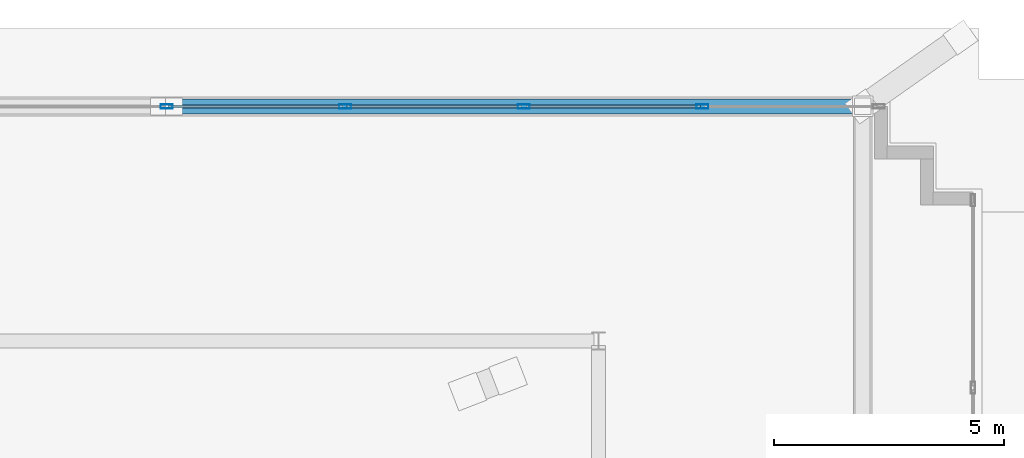
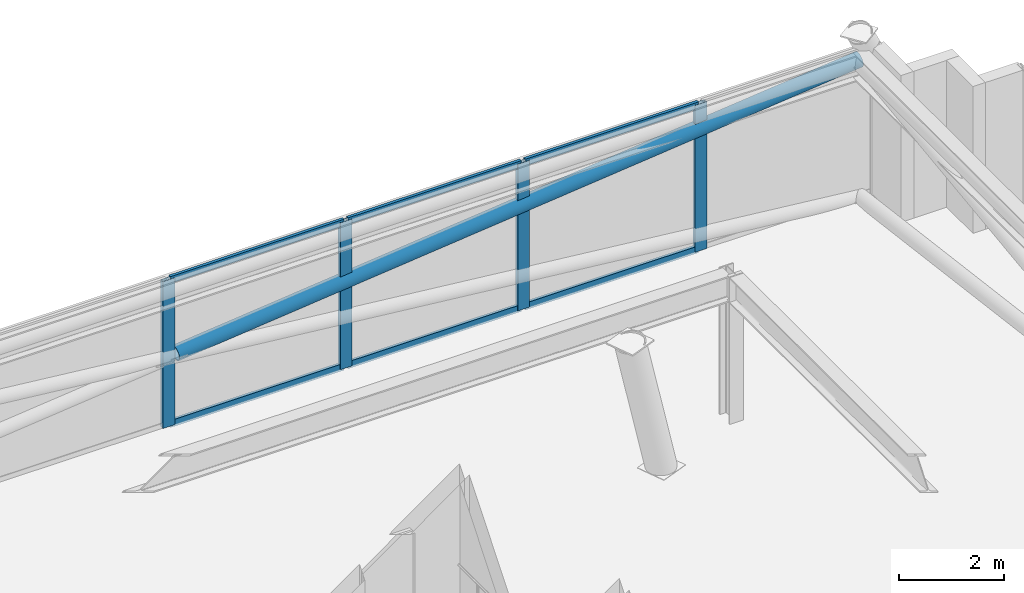
# One storey, part 10 of 18: 11 members, 1 element without a shape of its own.
"""IFC4 building model written with IfcOpenShell, lengths in metres."""

from ifc_helpers import new_model, si_unit, direction, frame, origin, origin_2d, place, context, subcontext, project, spatial, hollow_rectangle, hollow_circle, extrude, material, layer, layer_set, material_profile, profile_set, type_object, element, aggregate, save


model = new_model("IFC4")

# Units and contexts
model_context = context("Model", 3, precision=1e-05, world=origin(), true_north=direction((0.0, 1.0)))
body_context = subcontext(model_context, "Body", "Model", "MODEL_VIEW")
ifc_project = project(units=[si_unit("LENGTHUNIT", "METRE"), si_unit("AREAUNIT", "SQUARE_METRE"), si_unit("VOLUMEUNIT", "CUBIC_METRE"), si_unit("PLANEANGLEUNIT", "RADIAN"), si_unit("MASSUNIT", "GRAM", prefix="KILO")], contexts=[model_context])

# Site, building, storey
site_placement = place(None, origin())
site = spatial("IfcSite", under=ifc_project, at=site_placement, CompositionType="ELEMENT")
building_placement = place(site_placement, origin())
building = spatial("IfcBuilding", under=site, at=building_placement, Name="Qobustan Lattice House", CompositionType="ELEMENT")
storey_placement = place(building_placement, frame((0.0, 0.0, 277.800048828125)))
storey = spatial("IfcBuildingStorey", under=building, at=storey_placement, Name="L78", CompositionType="ELEMENT", Elevation=277.800048828125)

# Curtain wall, members
ifc_material_1 = material(Name="Anodised aluminium and low-E glazing", Category="aluminium")
ifc_layer = layer(ifc_material_1, 0.219970703125)
ifc_layer_set = layer_set([ifc_layer], Name="Anodised aluminium and low-E glazing")
curtain_wall_type = type_object("IfcCurtainWallType", Name="CW-CRN-01", PredefinedType="USERDEFINED", material=ifc_layer_set)
curtain_wall_placement = place(storey_placement, origin())
curtain_wall = element("IfcCurtainWall", 1, at=curtain_wall_placement, inside=storey, type_object=curtain_wall_type, Name="L78 glass-point crown faceted curtain wall 10", ObjectType="CURTAIN WALL", PredefinedType="USERDEFINED")
ifc_material_2 = material(Name="Anodised aluminium EN AW-6063 T6", Category="aluminium")
ifc_material_profile_1 = material_profile(ifc_material_2, hollow_rectangle(XDim=0.090087890625, YDim=0.260009765625, WallThickness=0.006103515625, at=origin_2d()), Name="CWM-CROWN-260x90")
ifc_profile_set_1 = profile_set([ifc_material_profile_1], Name="Anodised aluminium EN AW-6063 T6")
member_type_1 = type_object("IfcMemberType", Name="CWM-CRN-260", PredefinedType="MULLION", material=ifc_profile_set_1)
member_1_placement = place(storey_placement, frame((-0.199951171875, 10.70361328125, 0.0), z_axis=(0.0, 0.0, 1.0), x_axis=(0.0, 1.0, 0.0)))
member_1 = element("IfcMember", 2, at=member_1_placement, type_object=member_type_1, Name="CW-CR mullion 5", PredefinedType="MULLION", context=body_context, shape_type="SweptSolid", body=[
    extrude(hollow_rectangle(XDim=0.090087890625, YDim=0.260009765625, WallThickness=0.006103515625, at=origin_2d()), origin(), (0.0, 0.0, 1.0), 3.39990234375),
])
member_2_placement = place(storey_placement, frame((3.6865234375, 10.70361328125, 0.0), z_axis=(0.0, 0.0, 1.0), x_axis=(0.0, 1.0, 0.0)))
member_2 = element("IfcMember", 3, at=member_2_placement, type_object=member_type_1, Name="CW-CR mullion 6", PredefinedType="MULLION", context=body_context, shape_type="SweptSolid", body=[
    extrude(hollow_rectangle(XDim=0.090087890625, YDim=0.260009765625, WallThickness=0.006103515625, at=origin_2d()), origin(), (0.0, 0.0, 1.0), 3.39990234375),
])
member_3_placement = place(storey_placement, frame((7.5732421875, 10.70361328125, 0.0), z_axis=(0.0, 0.0, 1.0), x_axis=(0.0, 1.0, 0.0)))
member_3 = element("IfcMember", 4, at=member_3_placement, type_object=member_type_1, Name="CW-CR mullion 7", PredefinedType="MULLION", context=body_context, shape_type="SweptSolid", body=[
    extrude(hollow_rectangle(XDim=0.090087890625, YDim=0.260009765625, WallThickness=0.006103515625, at=origin_2d()), origin(), (0.0, 0.0, 1.0), 3.39990234375),
])
member_4_placement = place(storey_placement, frame((11.4599609375, 10.70361328125, 0.0), z_axis=(0.0, 0.0, 1.0), x_axis=(0.0, 1.0, 0.0)))
member_4 = element("IfcMember", 5, at=member_4_placement, type_object=member_type_1, Name="CW-CR mullion 8", PredefinedType="MULLION", context=body_context, shape_type="SweptSolid", body=[
    extrude(hollow_rectangle(XDim=0.090087890625, YDim=0.260009765625, WallThickness=0.006103515625, at=origin_2d()), origin(), (0.0, 0.0, 1.0), 3.39990234375),
])
ifc_material_3 = material(Name="Anodised aluminium EN AW-6063 T6", Category="aluminium")
ifc_material_profile_2 = material_profile(ifc_material_3, hollow_rectangle(XDim=0.06494140625, YDim=0.159912109375, WallThickness=0.00390625, at=origin_2d()), Name="CWT-160x65")
ifc_profile_set_2 = profile_set([ifc_material_profile_2], Name="Anodised aluminium EN AW-6063 T6")
member_type_2 = type_object("IfcMemberType", Name="CWT-HOR-160", PredefinedType="USERDEFINED", material=ifc_profile_set_2)
member_5_placement = place(storey_placement, frame((-0.155029296875, 10.70361328125, 0.032470703125), z_axis=(1.0, 0.0, 0.0), x_axis=(0.0, 1.0, 0.0)))
member_5 = element("IfcMember", 6, at=member_5_placement, type_object=member_type_2, Name="CW-CR transom 5.1", ObjectType="TRANSOM", PredefinedType="USERDEFINED", context=body_context, shape_type="SweptSolid", body=[
    extrude(hollow_rectangle(XDim=0.06494140625, YDim=0.159912109375, WallThickness=0.00390625, at=origin_2d()), origin(), (0.0, 0.0, 1.0), 3.796630859375),
])
member_6_placement = place(storey_placement, frame((-0.155029296875, 10.70361328125, 3.367431640625), z_axis=(1.0, 0.0, 0.0), x_axis=(0.0, 1.0, 0.0)))
member_6 = element("IfcMember", 7, at=member_6_placement, type_object=member_type_2, Name="CW-CR transom 5.2", ObjectType="TRANSOM", PredefinedType="USERDEFINED", context=body_context, shape_type="SweptSolid", body=[
    extrude(hollow_rectangle(XDim=0.06494140625, YDim=0.159912109375, WallThickness=0.00390625, at=origin_2d()), origin(), (0.0, 0.0, 1.0), 3.796630859375),
])
member_7_placement = place(storey_placement, frame((3.731689453125, 10.70361328125, 0.032470703125), z_axis=(1.0, 0.0, 0.0), x_axis=(0.0, 1.0, 0.0)))
member_7 = element("IfcMember", 8, at=member_7_placement, type_object=member_type_2, Name="CW-CR transom 6.1", ObjectType="TRANSOM", PredefinedType="USERDEFINED", context=body_context, shape_type="SweptSolid", body=[
    extrude(hollow_rectangle(XDim=0.06494140625, YDim=0.159912109375, WallThickness=0.00390625, at=origin_2d()), origin(), (0.0, 0.0, 1.0), 3.796630859375),
])
member_8_placement = place(storey_placement, frame((3.731689453125, 10.70361328125, 3.367431640625), z_axis=(1.0, 0.0, 0.0), x_axis=(0.0, 1.0, 0.0)))
member_8 = element("IfcMember", 9, at=member_8_placement, type_object=member_type_2, Name="CW-CR transom 6.2", ObjectType="TRANSOM", PredefinedType="USERDEFINED", context=body_context, shape_type="SweptSolid", body=[
    extrude(hollow_rectangle(XDim=0.06494140625, YDim=0.159912109375, WallThickness=0.00390625, at=origin_2d()), origin(), (0.0, 0.0, 1.0), 3.796630859375),
])
member_9_placement = place(storey_placement, frame((7.6181640625, 10.70361328125, 0.032470703125), z_axis=(1.0, 0.0, 0.0), x_axis=(0.0, 1.0, 0.0)))
member_9 = element("IfcMember", 10, at=member_9_placement, type_object=member_type_2, Name="CW-CR transom 7.1", ObjectType="TRANSOM", PredefinedType="USERDEFINED", context=body_context, shape_type="SweptSolid", body=[
    extrude(hollow_rectangle(XDim=0.06494140625, YDim=0.159912109375, WallThickness=0.00390625, at=origin_2d()), origin(), (0.0, 0.0, 1.0), 3.796630859375),
])
member_10_placement = place(storey_placement, frame((7.6181640625, 10.70361328125, 3.367431640625), z_axis=(1.0, 0.0, 0.0), x_axis=(0.0, 1.0, 0.0)))
member_10 = element("IfcMember", 11, at=member_10_placement, type_object=member_type_2, Name="CW-CR transom 7.2", ObjectType="TRANSOM", PredefinedType="USERDEFINED", context=body_context, shape_type="SweptSolid", body=[
    extrude(hollow_rectangle(XDim=0.06494140625, YDim=0.159912109375, WallThickness=0.00390625, at=origin_2d()), origin(), (0.0, 0.0, 1.0), 3.796630859375),
])
aggregate(curtain_wall, [member_1, member_2, member_3, member_4, member_5, member_6, member_7, member_8, member_9, member_10])

# Member
ifc_material_4 = material(Name="Steel S355", Category="steel")
ifc_material_profile_3 = material_profile(ifc_material_4, hollow_circle(Radius=0.161865234375, WallThickness=0.012451171875, at=origin_2d()), Name="CHS323.9x12.5")
ifc_profile_set_3 = profile_set([ifc_material_profile_3], Name="Steel S355")
member_type_3 = type_object("IfcMemberType", Name="MEM-CBR-CHS324", PredefinedType="BRACE", material=ifc_profile_set_3)
member_11_placement = place(storey_placement, frame((-0.032958984375, 10.70361328125, 1.614990234375), z_axis=(0.994587042936, 0.0, 0.103906756393), x_axis=(0.0, 1.0, 0.0)))
element("IfcMember", 12, at=member_11_placement, inside=storey, type_object=member_type_3, Name="L78 crown diagrid split brace 3B upper", PredefinedType="BRACE", context=body_context, shape_type="SweptSolid", body=[
    extrude(hollow_circle(Radius=0.161865234375, WallThickness=0.012451171875, at=origin_2d()), origin(), (0.0, 0.0, 1.0), 15.06103515625),
])

save(model, "model.ifc")
